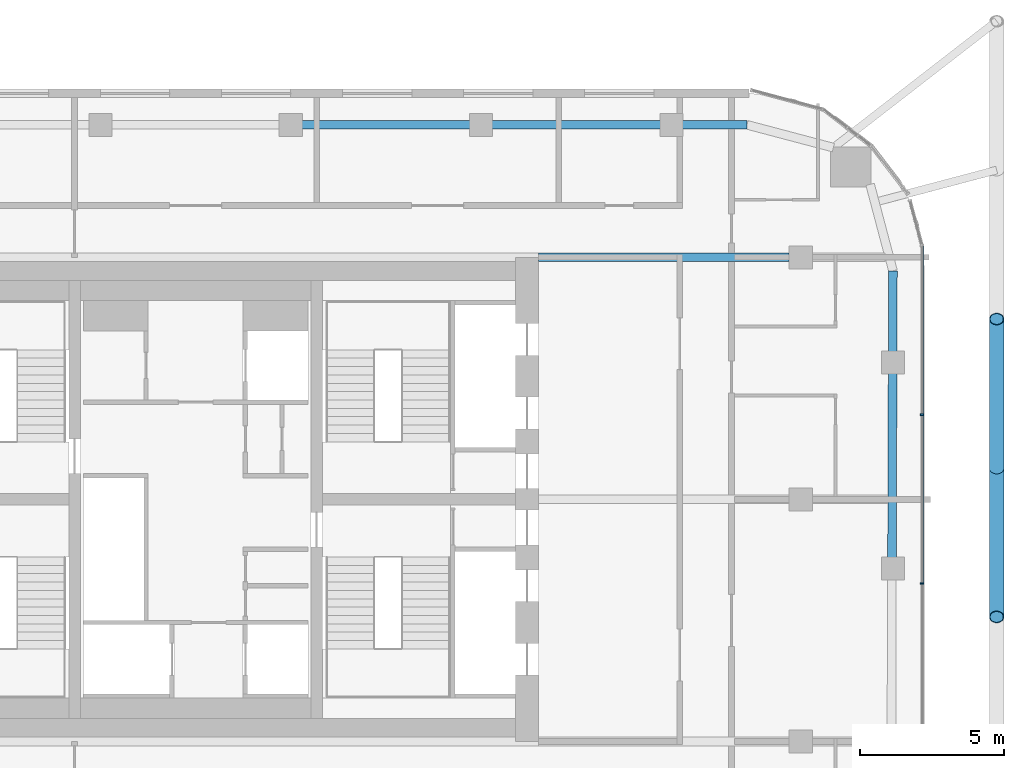
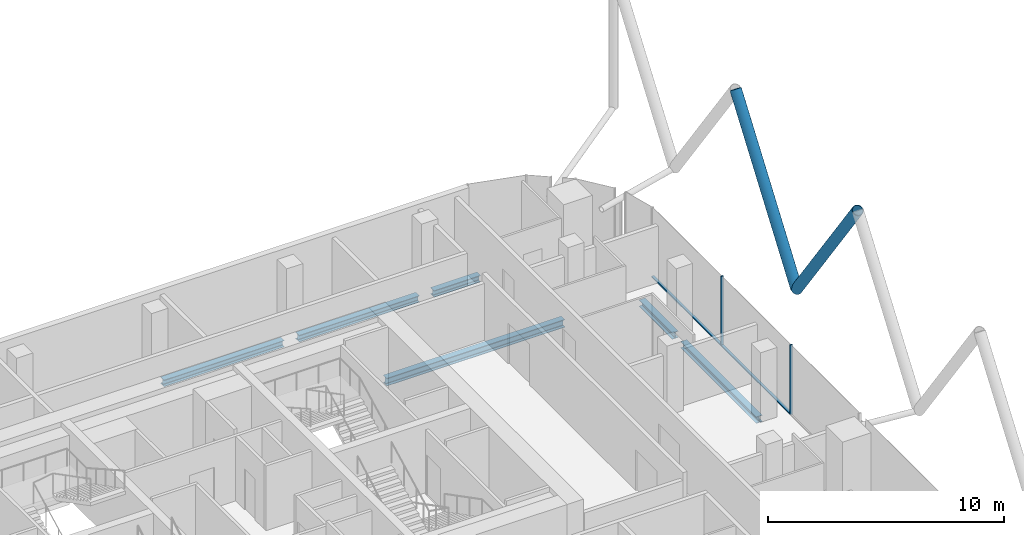
# One storey, part 10 of 31: 6 beams, 6 members, 1 element without a shape of its own.
"""IFC4 building model written with IfcOpenShell, lengths in metres."""

from ifc_helpers import new_model, si_unit, direction, frame, origin, origin_2d, place, context, subcontext, project, spatial, rectangle, hollow_circle, i_section, extrude, material, layer, layer_set, material_profile, profile_set, type_object, element, aggregate, save


model = new_model("IFC4")

# Units and contexts
model_context = context("Model", 3, precision=1e-05, world=origin(), true_north=direction((0.0, 1.0)))
body_context = subcontext(model_context, "Body", "Model", "MODEL_VIEW")
ifc_project = project(units=[si_unit("LENGTHUNIT", "METRE"), si_unit("AREAUNIT", "SQUARE_METRE"), si_unit("VOLUMEUNIT", "CUBIC_METRE"), si_unit("PLANEANGLEUNIT", "RADIAN"), si_unit("MASSUNIT", "GRAM", prefix="KILO")], contexts=[model_context])

# Site, building, storey
site_placement = place(None, origin())
site = spatial("IfcSite", under=ifc_project, at=site_placement, CompositionType="ELEMENT")
building_placement = place(site_placement, origin())
building = spatial("IfcBuilding", under=site, at=building_placement, Name="Marenta Gate Hotel Tower", CompositionType="ELEMENT")
storey_placement = place(building_placement, frame((0.0, 0.0, 220.10009765625)))
storey = spatial("IfcBuildingStorey", under=building, at=storey_placement, Name="L51", CompositionType="ELEMENT", Elevation=220.10009765625)

# Members
ifc_material_1 = material(Name="Steel S355J2W", Category="steel")
ifc_material_profile_1 = material_profile(ifc_material_1, hollow_circle(Radius=0.25390625, WallThickness=0.02490234375, at=origin_2d()), Name="CHS 508x25")
ifc_profile_set_1 = profile_set([ifc_material_profile_1], Name="Steel S355J2W")
member_type_1 = type_object("IfcMemberType", Name="Diagrid diagonal Z3 CHS 508x25", PredefinedType="BRACE", material=ifc_profile_set_1)
member_1_placement = place(storey_placement, frame((27.800048828125, 9.489990234375, 3.139892578125), z_axis=(0.0, 0.583260841117, 0.812284919975), x_axis=(-1.0, 0.0, 0.0)))
element("IfcMember", 1, at=member_1_placement, inside=storey, type_object=member_type_1, Name="L51-DG-3", PredefinedType="BRACE", context=body_context, shape_type="SweptSolid", body=[
    extrude(hollow_circle(Radius=0.25390625, WallThickness=0.02490234375, at=origin_2d()), origin(), (0.0, 0.0, 1.0), 8.86376953125),
])
member_2_placement = place(storey_placement, frame((27.800048828125, 9.489990234375, 3.139892578125), z_axis=(0.0, -0.583279014058, 0.812271870595), x_axis=(1.0, 0.0, 0.0)))
element("IfcMember", 2, at=member_2_placement, inside=storey, type_object=member_type_1, Name="L51-DG-4", PredefinedType="BRACE", context=body_context, shape_type="SweptSolid", body=[
    extrude(hollow_circle(Radius=0.25390625, WallThickness=0.02490234375, at=origin_2d()), origin(), (0.0, 0.0, 1.0), 8.864013671875),
])

# Beams
ifc_material_2 = material(Name="Steel S355", Category="steel")
ifc_material_profile_2 = material_profile(ifc_material_2, i_section(OverallWidth=0.300048828125, OverallDepth=0.340087890625, WebThickness=0.011962890625, FlangeThickness=0.021484375, FilletRadius=0.027099609375, at=origin_2d()), Name="HEB 340")
ifc_profile_set_2 = profile_set([ifc_material_profile_2], Name="Steel S355")
beam_type_1 = type_object("IfcBeamType", Name="Edge beam HEB 340", PredefinedType="SPANDREL", material=ifc_profile_set_2)
for number, where, z_axis, x_axis, name in (
    (3, (3.661376953125, 21.39990234375, -0.43017578125), (1.0, 0.0, 0.0), (0.0, 1.0, 0.0), "L51-EB-17"),
    (4, (10.26416015625, 21.39990234375, -0.43017578125), (1.0, 0.0, 0.0), (0.0, 1.0, 0.0), "L51-EB-18"),
):
    element("IfcBeam", number, at=place(storey_placement, frame(where, z_axis=z_axis, x_axis=x_axis)), inside=storey, type_object=beam_type_1, Name=name, PredefinedType="SPANDREL", context=body_context, shape_type="SweptSolid", body=[
        extrude(i_section(OverallWidth=0.300048828125, OverallDepth=0.340087890625, WebThickness=0.011962890625, FlangeThickness=0.021484375, FilletRadius=0.027099609375, at=origin_2d()), origin(), (0.0, 0.0, 1.0), 5.8828125),
    ])
beam_1_placement = place(storey_placement, frame((16.866943359375, 21.39990234375, -0.43017578125), z_axis=(1.0, 0.0, 0.0), x_axis=(0.0, 1.0, 0.0)))
element("IfcBeam", 5, at=beam_1_placement, inside=storey, type_object=beam_type_1, Name="L51-EB-19", PredefinedType="SPANDREL", context=body_context, shape_type="SweptSolid", body=[
    extrude(i_section(OverallWidth=0.300048828125, OverallDepth=0.340087890625, WebThickness=0.011962890625, FlangeThickness=0.021484375, FilletRadius=0.027099609375, at=origin_2d()), origin(), (0.0, 0.0, 1.0), 2.267578125),
])
beam_2_placement = place(storey_placement, frame((24.199951171875, 16.33447265625, -0.43017578125), z_axis=(-0.003292020626, -0.999994581285, 0.0), x_axis=(0.999994581285, -0.003292020626, 0.0)))
element("IfcBeam", 6, at=beam_2_placement, inside=storey, type_object=beam_type_1, Name="L51-EB-22", PredefinedType="SPANDREL", context=body_context, shape_type="SweptSolid", body=[
    extrude(i_section(OverallWidth=0.300048828125, OverallDepth=0.340087890625, WebThickness=0.011962890625, FlangeThickness=0.021484375, FilletRadius=0.027099609375, at=origin_2d()), origin(), (0.0, 0.0, 1.0), 2.818115234375),
])
beam_3_placement = place(storey_placement, frame((24.188232421875, 12.79638671875, -0.43017578125), z_axis=(-0.00333963982, -0.999994423387, 0.0), x_axis=(0.999994423387, -0.00333963982, 0.0)))
element("IfcBeam", 7, at=beam_3_placement, inside=storey, type_object=beam_type_1, Name="L51-EB-23", PredefinedType="SPANDREL", context=body_context, shape_type="SweptSolid", body=[
    extrude(i_section(OverallWidth=0.300048828125, OverallDepth=0.340087890625, WebThickness=0.011962890625, FlangeThickness=0.021484375, FilletRadius=0.027099609375, at=origin_2d()), origin(), (0.0, 0.0, 1.0), 6.43310546875),
])
ifc_material_3 = material(Name="Steel S355", Category="steel")
ifc_material_profile_3 = material_profile(ifc_material_3, i_section(OverallWidth=0.300048828125, OverallDepth=0.39990234375, WebThickness=0.013427734375, FlangeThickness=0.02392578125, FilletRadius=0.027099609375, at=origin_2d()), Name="HEB 400")
ifc_profile_set_3 = profile_set([ifc_material_profile_3], Name="Steel S355")
beam_type_2 = type_object("IfcBeamType", Name="Girder HEB 400", PredefinedType="BEAM", material=ifc_profile_set_3)
beam_4_placement = place(storey_placement, frame((11.89990234375, 16.800048828125, -0.460205078125), z_axis=(1.0, 0.0, 0.0), x_axis=(0.0, 1.0, 0.0)))
element("IfcBeam", 8, at=beam_4_placement, inside=storey, type_object=beam_type_2, Name="L51-GD-32", PredefinedType="BEAM", context=body_context, shape_type="SweptSolid", body=[
    extrude(i_section(OverallWidth=0.300048828125, OverallDepth=0.39990234375, WebThickness=0.013427734375, FlangeThickness=0.02392578125, FilletRadius=0.027099609375, at=origin_2d()), origin(), (0.0, 0.0, 1.0), 8.7001953125),
])

# Curtain wall, members
ifc_material_4 = material(Name="Tinted insulated glass in bronze anodised frame", Category="glass")
ifc_layer = layer(ifc_material_4, 0.1201171875)
ifc_layer_set = layer_set([ifc_layer], Name="Tinted insulated glass in bronze anodised frame")
curtain_wall_type = type_object("IfcCurtainWallType", Name="Tower unitised curtain wall CW1", PredefinedType="NOTDEFINED", material=ifc_layer_set)
curtain_wall_placement = place(storey_placement, origin())
curtain_wall = element("IfcCurtainWall", 9, at=curtain_wall_placement, inside=storey, type_object=curtain_wall_type, Name="CW1 run G34", PredefinedType="NOTDEFINED")
ifc_material_5 = material(Name="Bronze anodised aluminium", Category="aluminium")
ifc_material_profile_4 = material_profile(ifc_material_5, rectangle(XDim=0.1201171875, YDim=0.06005859375, at=origin_2d()), Name="Mullion CW1 60x120 bronze anodised aluminium")
ifc_profile_set_4 = profile_set([ifc_material_profile_4], Name="Bronze anodised aluminium")
member_type_2 = type_object("IfcMemberType", Name="Mullion CW1 60x120 bronze anodised aluminium", PredefinedType="MULLION", material=ifc_profile_set_4)
member_3_placement = place(storey_placement, frame((25.214111328125, 5.4853515625, 0.0), z_axis=(0.0, 0.0, 1.0), x_axis=(-1.0, 0.0, 0.0)))
member_3 = element("IfcMember", 10, at=member_3_placement, type_object=member_type_2, Name="CW1 mullion 2", PredefinedType="MULLION", context=body_context, shape_type="SweptSolid", body=[
    extrude(rectangle(XDim=0.1201171875, YDim=0.06005859375, at=origin_2d()), origin(), (0.0, 0.0, 1.0), 3.599853515625),
])
member_4_placement = place(storey_placement, frame((25.214111328125, 11.338623046875, 0.0), z_axis=(0.0, 0.0, 1.0), x_axis=(-1.0, 0.0, 0.0)))
member_4 = element("IfcMember", 11, at=member_4_placement, type_object=member_type_2, Name="CW1 mullion 3", PredefinedType="MULLION", context=body_context, shape_type="SweptSolid", body=[
    extrude(rectangle(XDim=0.1201171875, YDim=0.06005859375, at=origin_2d()), origin(), (0.0, 0.0, 1.0), 3.599853515625),
])
ifc_material_6 = material(Name="Bronze anodised aluminium", Category="aluminium")
ifc_material_profile_5 = material_profile(ifc_material_6, rectangle(XDim=0.1201171875, YDim=0.06005859375, at=origin_2d()), Name="Transom CW1 60x120 bronze anodised aluminium")
ifc_profile_set_5 = profile_set([ifc_material_profile_5], Name="Bronze anodised aluminium")
member_type_3 = type_object("IfcMemberType", Name="Transom CW1 60x120 bronze anodised aluminium", PredefinedType="USERDEFINED", material=ifc_profile_set_5)
member_5_placement = place(storey_placement, frame((25.214111328125, 5.515380859375, 0.02978515625), z_axis=(0.0, 1.0, 0.0), x_axis=(-1.0, 0.0, 0.0)))
member_5 = element("IfcMember", 12, at=member_5_placement, type_object=member_type_3, Name="CW1 transom 2.1", ObjectType="TRANSOM", PredefinedType="USERDEFINED", context=body_context, shape_type="SweptSolid", body=[
    extrude(rectangle(XDim=0.1201171875, YDim=0.06005859375, at=origin_2d()), origin(), (0.0, 0.0, 1.0), 5.793212890625),
])
member_6_placement = place(storey_placement, frame((25.214111328125, 11.36865234375, 0.02978515625), z_axis=(0.0, 1.0, 0.0), x_axis=(-1.0, 0.0, 0.0)))
member_6 = element("IfcMember", 13, at=member_6_placement, type_object=member_type_3, Name="CW1 transom 3.1", ObjectType="TRANSOM", PredefinedType="USERDEFINED", context=body_context, shape_type="SweptSolid", body=[
    extrude(rectangle(XDim=0.1201171875, YDim=0.06005859375, at=origin_2d()), origin(), (0.0, 0.0, 1.0), 5.8232421875),
])
aggregate(curtain_wall, [member_3, member_4, member_5, member_6])

save(model, "model.ifc")
